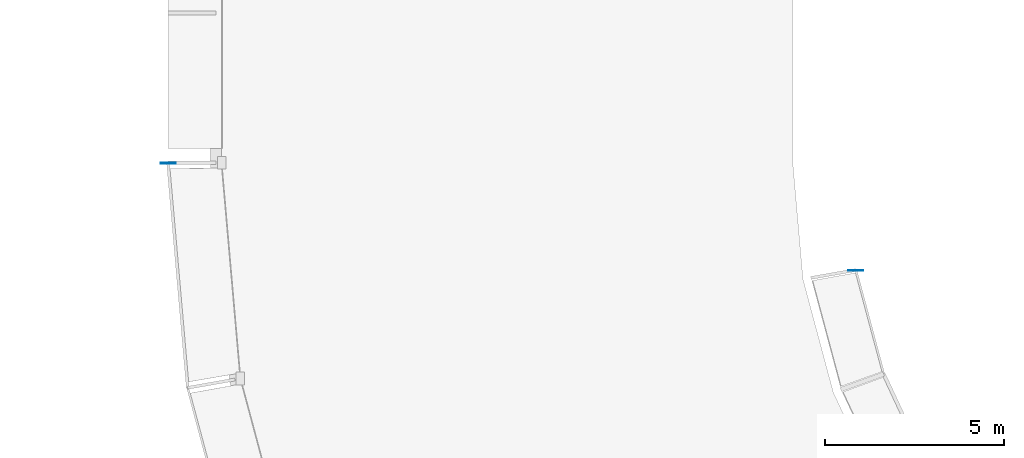
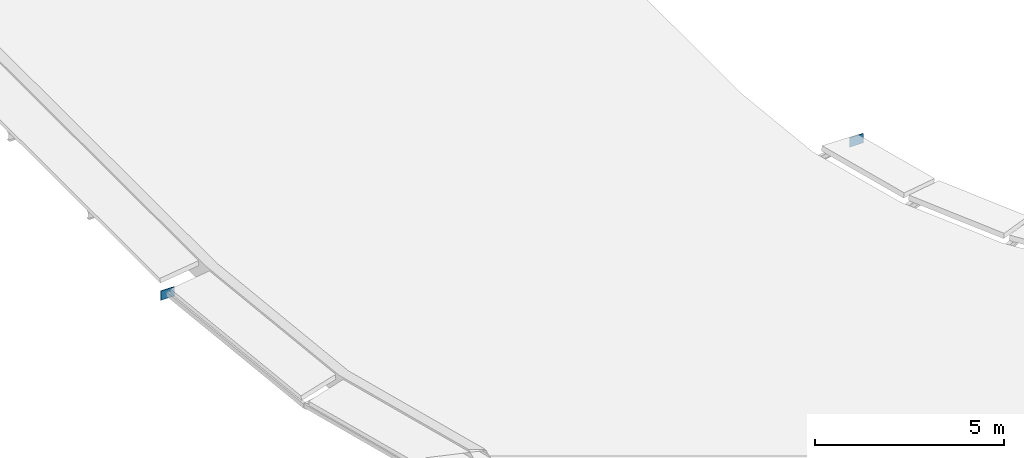
# One storey, part 14 of 41: 2 plates.
"""IFC4 building model written with IfcOpenShell, lengths in metres."""

from ifc_helpers import new_model, si_unit, direction, frame, origin, origin_2d, place, context, subcontext, project, spatial, rectangle, extrude, material, layer, layer_set, type_object, element, save


model = new_model("IFC4")

# Units and contexts
model_context = context("Model", 3, precision=1e-05, world=origin(), true_north=direction((0.0, 1.0)))
body_context = subcontext(model_context, "Body", "Model", "MODEL_VIEW")
ifc_project = project(units=[si_unit("LENGTHUNIT", "METRE"), si_unit("AREAUNIT", "SQUARE_METRE"), si_unit("VOLUMEUNIT", "CUBIC_METRE"), si_unit("PLANEANGLEUNIT", "RADIAN"), si_unit("MASSUNIT", "GRAM", prefix="KILO")], contexts=[model_context])

# Site, building, storey
site_placement = place(None, origin())
site = spatial("IfcSite", under=ifc_project, at=site_placement, CompositionType="ELEMENT")
building_placement = place(site_placement, origin())
building = spatial("IfcBuilding", under=site, at=building_placement, Name="Kiranvali Square Residences", CompositionType="ELEMENT")
storey_placement = place(building_placement, frame((0.0, 0.0, 33.89990234375)))
storey = spatial("IfcBuildingStorey", under=building, at=storey_placement, Name="L10", CompositionType="ELEMENT", Elevation=33.89990234375)

# Plates
ifc_material = material(Name="Structural steel E350", Category="steel")
ifc_layer = layer(ifc_material, 0.02001953125)
ifc_layer_set = layer_set([ifc_layer], Name="Structural steel E350")
plate_type = type_object("IfcPlateType", Name="PLT-ENDCAP-20", PredefinedType="SHEET", material=ifc_layer_set)
for number, where, z_axis, x_axis, name in (
    (1, (31.166015625, 45.184326171875, -0.45068359375), (0.0, 0.0, 1.0), (1.0, 0.0, 0.0), "Block C inner eave purlin end-cap E"),
    (2, (11.901123046875, 48.18798828125, -0.46240234375), (0.0, 0.0, 1.0), (1.0, 0.0, 0.0), "Block C eave fascia purlin end-cap E"),
):
    element("IfcPlate", number, at=place(storey_placement, frame(where, z_axis=z_axis, x_axis=x_axis)), inside=storey, type_object=plate_type, Name=name, PredefinedType="SHEET", context=body_context, shape_type="SweptSolid", body=[
        extrude(rectangle(XDim=0.419921875, YDim=0.02001953125, at=origin_2d()), origin(), (0.0, 0.0, 1.0), 0.300048828125),
    ])

save(model, "model.ifc")
